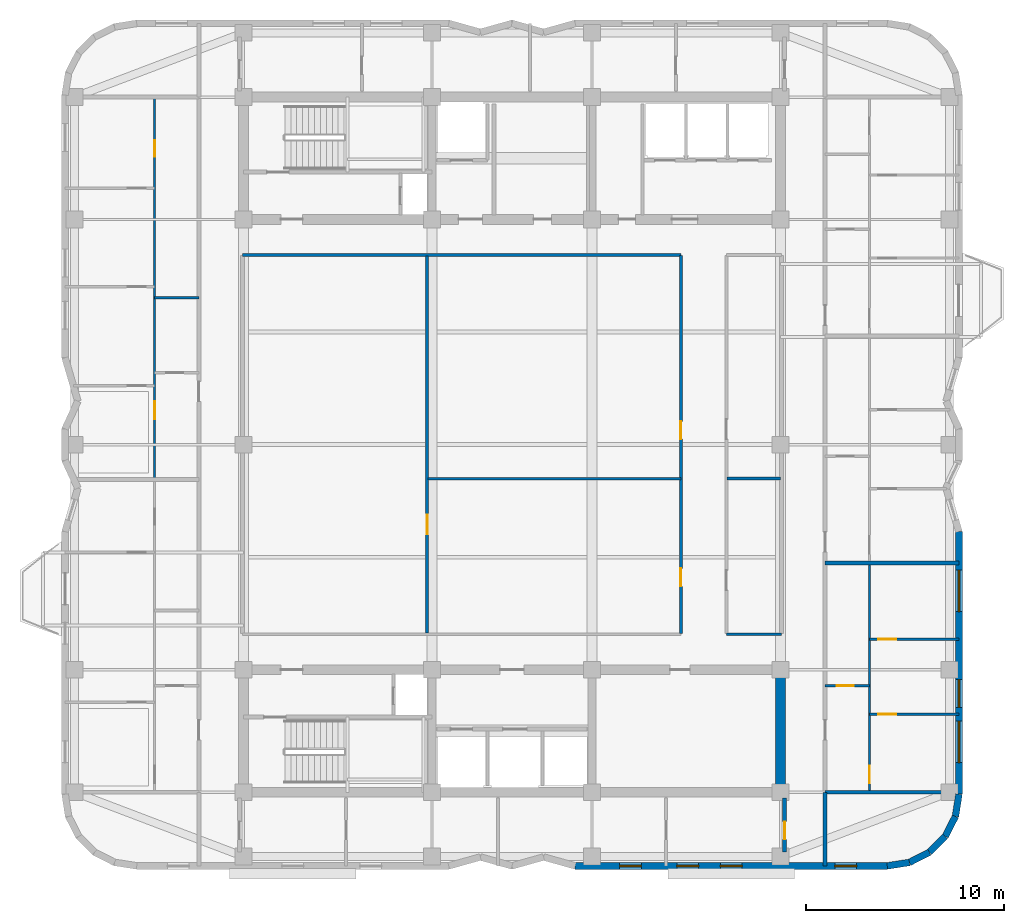
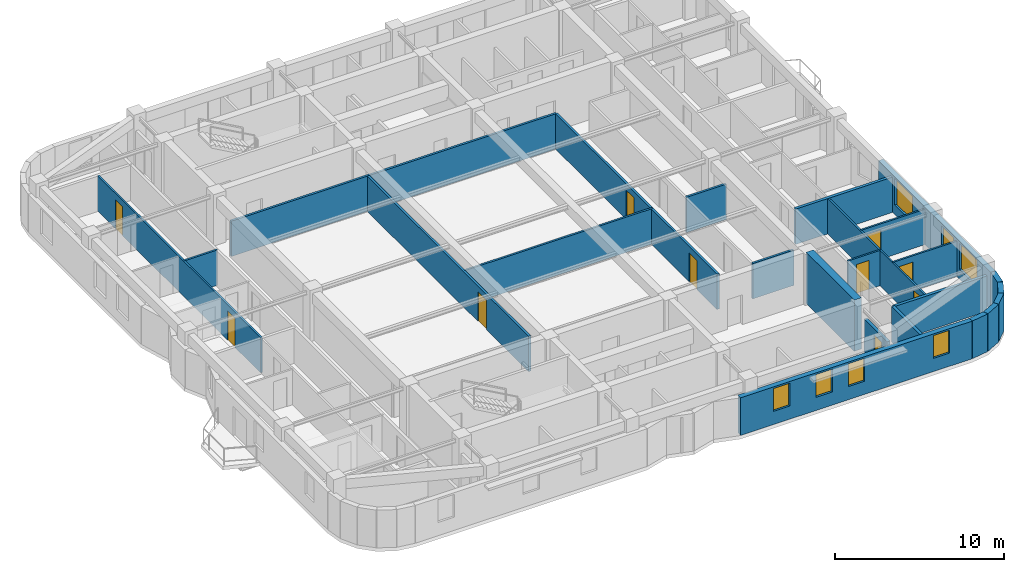
# One storey, part 4 of 9: 24 walls, 10 doors, 7 windows, 17 openings.
"""IFC4 building model written with IfcOpenShell, lengths in metres."""

from ifc_helpers import new_model, si_unit, direction, frame, frame_2d, origin, place, context, subcontext, project, spatial, rectangle, extrude, material, layer, layer_set, type_object, element, fill, save


model = new_model("IFC4")

# Units and contexts
model_context = context("Model", 3, precision=1e-05, world=origin(), true_north=direction((0.0, 1.0)))
body_context = subcontext(model_context, "Body", "Model", "MODEL_VIEW")
ifc_project = project(units=[si_unit("LENGTHUNIT", "METRE"), si_unit("AREAUNIT", "SQUARE_METRE"), si_unit("VOLUMEUNIT", "CUBIC_METRE"), si_unit("PLANEANGLEUNIT", "RADIAN"), si_unit("MASSUNIT", "GRAM", prefix="KILO")], contexts=[model_context])

# Site, building, storey
site_placement = place(None, origin())
site = spatial("IfcSite", under=ifc_project, at=site_placement, CompositionType="ELEMENT")
building_placement = place(site_placement, origin())
building = spatial("IfcBuilding", under=site, at=building_placement, Name="Svetorya Sky Lyceum", CompositionType="ELEMENT")
storey_placement = place(building_placement, frame((0.0, 0.0, 214.699951171875)))
storey = spatial("IfcBuildingStorey", under=building, at=storey_placement, Name="L53", CompositionType="ELEMENT", Elevation=214.699951171875)

# Wall
ifc_material_1 = material(Name="Concrete C50/60", Category="concrete")
ifc_layer_1 = layer(ifc_material_1, 0.5)
ifc_layer_set_1 = layer_set([ifc_layer_1], Name="Concrete C50/60")
wall_type_1 = type_object("IfcWallType", Name="WL-CORE-500", PredefinedType="SHEAR", material=ifc_layer_set_1)
wall_1_placement = place(storey_placement, frame((52.800048828125, 10.85009765625, 0.0), z_axis=(0.0, 0.0, 1.0), x_axis=(0.0, 1.0, 0.0)))
element("IfcWall", 1, at=wall_1_placement, inside=storey, type_object=wall_type_1, Name="L53 SC East Core Shear Wall", PredefinedType="SHEAR", context=body_context, shape_type="SweptSolid", body=[
    extrude(rectangle(XDim=5.699951171875, YDim=0.5, at=frame_2d((2.85009765625, 0.0))), origin(), (0.0, 0.0, 1.0), 3.699951171875),
])

# Wall, openings, windows
ifc_material_2 = material(Name="Putilovo limestone rainscreen on autoclaved cellular masonry", Category="masonry")
ifc_layer_2 = layer(ifc_material_2, 0.340087890625)
ifc_layer_set_2 = layer_set([ifc_layer_2], Name="Putilovo limestone rainscreen on autoclaved cellular masonry")
wall_type_2 = type_object("IfcWallType", Name="WL-EXT-340", PredefinedType="SOLIDWALL", material=ifc_layer_set_2)
wall_2_placement = place(storey_placement, frame((42.39990234375, 6.8701171875, 0.0), z_axis=(0.0, 0.0, 1.0), x_axis=(1.0, 0.0, 0.0)))
wall_2 = element("IfcWall", 2, at=wall_2_placement, inside=storey, type_object=wall_type_2, Name="L53 Limestone Exterior Wall 11M", PredefinedType="SOLIDWALL", context=body_context, shape_type="SweptSolid", body=[
    extrude(rectangle(XDim=15.800048828125, YDim=0.340087890625, at=frame_2d((7.89990234375, 0.0))), origin(), (0.0, 0.0, 1.0), 2.719970703125),
])
opening_1_placement = place(wall_2_placement, frame((2.25, 0.0, 0.949951171875)))
opening_1 = element("IfcOpeningElement", 3, at=opening_1_placement, cuts=wall_2, Name="Opening W-R3", PredefinedType="OPENING", context=body_context, shape_type="SweptSolid", body=[
    extrude(rectangle(XDim=1.10009765625, YDim=1.64990234375, at=frame_2d((0.550048828125, 0.824951171875))), frame((0.0, 0.179931640625, 0.0), z_axis=(0.0, -1.0, 0.0), x_axis=(1.0, 0.0, 0.0)), (0.0, 0.0, 1.0), 0.360107421875),
])
opening_2_placement = place(wall_2_placement, frame((5.14990234375, 0.0, 0.949951171875)))
opening_2 = element("IfcOpeningElement", 4, at=opening_2_placement, cuts=wall_2, Name="Opening W-R3", PredefinedType="OPENING", context=body_context, shape_type="SweptSolid", body=[
    extrude(rectangle(XDim=1.10009765625, YDim=1.64990234375, at=frame_2d((0.550048828125, 0.824951171875))), frame((0.0, 0.179931640625, 0.0), z_axis=(0.0, -1.0, 0.0), x_axis=(1.0, 0.0, 0.0)), (0.0, 0.0, 1.0), 0.360107421875),
])
opening_3_placement = place(wall_2_placement, frame((7.35009765625, 0.0, 0.949951171875)))
opening_3 = element("IfcOpeningElement", 5, at=opening_3_placement, cuts=wall_2, Name="Opening W-R3", PredefinedType="OPENING", context=body_context, shape_type="SweptSolid", body=[
    extrude(rectangle(XDim=1.10009765625, YDim=1.64990234375, at=frame_2d((0.550048828125, 0.824951171875))), frame((0.0, 0.179931640625, 0.0), z_axis=(0.0, -1.0, 0.0), x_axis=(1.0, 0.0, 0.0)), (0.0, 0.0, 1.0), 0.360107421875),
])
opening_4_placement = place(wall_2_placement, frame((13.14990234375, 0.0, 0.949951171875)))
opening_4 = element("IfcOpeningElement", 6, at=opening_4_placement, cuts=wall_2, Name="Opening W-R3", PredefinedType="OPENING", context=body_context, shape_type="SweptSolid", body=[
    extrude(rectangle(XDim=1.10009765625, YDim=1.64990234375, at=frame_2d((0.550048828125, 0.824951171875))), frame((0.0, 0.179931640625, 0.0), z_axis=(0.0, -1.0, 0.0), x_axis=(1.0, 0.0, 0.0)), (0.0, 0.0, 1.0), 0.360107421875),
])
ifc_material_3 = material(Name="Thermally broken aluminium frame with triple low-E glazing", Category="aluminium")
window_type_1 = type_object("IfcWindowType", Name="WN-RES-110", PartitioningType="SINGLE_PANEL", PredefinedType="WINDOW", material=ifc_material_3)
window_1_placement = place(opening_1_placement, origin())
window_1 = element("IfcWindow", 7, at=window_1_placement, inside=storey, type_object=window_type_1, Name="L53 Facade Window W-R3.11M.1", OverallHeight=1.64990234375, OverallWidth=1.10009765625, PartitioningType="SINGLE_PANEL", PredefinedType="WINDOW", context=body_context, shape_type="SweptSolid", body=[
    extrude(rectangle(XDim=1.10009765625, YDim=1.64990234375, at=frame_2d((0.550048828125, 0.824951171875))), frame((0.0, 0.030029296875, 0.0), z_axis=(0.0, -1.0, 0.0), x_axis=(1.0, 0.0, 0.0)), (0.0, 0.0, 1.0), 0.06005859375),
])
fill(opening_1, window_1)
window_2_placement = place(opening_2_placement, origin())
window_2 = element("IfcWindow", 8, at=window_2_placement, inside=storey, type_object=window_type_1, Name="L53 Facade Window W-R3.11M.2", OverallHeight=1.64990234375, OverallWidth=1.10009765625, PartitioningType="SINGLE_PANEL", PredefinedType="WINDOW", context=body_context, shape_type="SweptSolid", body=[
    extrude(rectangle(XDim=1.10009765625, YDim=1.64990234375, at=frame_2d((0.550048828125, 0.824951171875))), frame((0.0, 0.030029296875, 0.0), z_axis=(0.0, -1.0, 0.0), x_axis=(1.0, 0.0, 0.0)), (0.0, 0.0, 1.0), 0.06005859375),
])
fill(opening_2, window_2)
window_3_placement = place(opening_3_placement, origin())
window_3 = element("IfcWindow", 9, at=window_3_placement, inside=storey, type_object=window_type_1, Name="L53 Facade Window W-R3.11M.3", OverallHeight=1.64990234375, OverallWidth=1.10009765625, PartitioningType="SINGLE_PANEL", PredefinedType="WINDOW", context=body_context, shape_type="SweptSolid", body=[
    extrude(rectangle(XDim=1.10009765625, YDim=1.64990234375, at=frame_2d((0.550048828125, 0.824951171875))), frame((0.0, 0.030029296875, 0.0), z_axis=(0.0, -1.0, 0.0), x_axis=(1.0, 0.0, 0.0)), (0.0, 0.0, 1.0), 0.06005859375),
])
fill(opening_3, window_3)
window_4_placement = place(opening_4_placement, origin())
window_4 = element("IfcWindow", 10, at=window_4_placement, inside=storey, type_object=window_type_1, Name="L53 Facade Window W-R3.11M.4", OverallHeight=1.64990234375, OverallWidth=1.10009765625, PartitioningType="SINGLE_PANEL", PredefinedType="WINDOW", context=body_context, shape_type="SweptSolid", body=[
    extrude(rectangle(XDim=1.10009765625, YDim=1.64990234375, at=frame_2d((0.550048828125, 0.824951171875))), frame((0.0, 0.030029296875, 0.0), z_axis=(0.0, -1.0, 0.0), x_axis=(1.0, 0.0, 0.0)), (0.0, 0.0, 1.0), 0.06005859375),
])
fill(opening_4, window_4)

# Walls
for number, where, z_axis, x_axis, name in (
    (11, (58.199951171875, 6.8701171875, 0.0), (0.0, 0.0, 1.0), (0.987714116584, 0.156271634985, 0.0), "L53 Limestone Exterior Wall 12M"),
    (12, (59.32177734375, 7.047607421875, 0.0), (0.0, 0.0, 1.0), (0.891005044957, 0.453993402883, 0.0), "L53 Limestone Exterior Wall 13M"),
):
    element("IfcWall", number, at=place(storey_placement, frame(where, z_axis=z_axis, x_axis=x_axis)), inside=storey, type_object=wall_type_2, Name=name, PredefinedType="SOLIDWALL", context=body_context, shape_type="SweptSolid", body=[
        extrude(rectangle(XDim=1.1357421875, YDim=0.340087890625, at=frame_2d((0.56787109375, 0.0))), origin(), (0.0, 0.0, 1.0), 2.719970703125),
    ])
wall_3_placement = place(storey_placement, frame((60.333740234375, 7.563232421875, 0.0), z_axis=(0.0, 0.0, 1.0), x_axis=(0.707106781187, 0.707106781187, 0.0)))
element("IfcWall", 13, at=wall_3_placement, inside=storey, type_object=wall_type_2, Name="L53 Limestone Exterior Wall 14M", PredefinedType="SOLIDWALL", context=body_context, shape_type="SweptSolid", body=[
    extrude(rectangle(XDim=1.135498046875, YDim=0.340087890625, at=frame_2d((0.56787109375, 0.0))), origin(), (0.0, 0.0, 1.0), 2.719970703125),
])
wall_4_placement = place(storey_placement, frame((61.13671875, 8.3662109375, 0.0), z_axis=(0.0, 0.0, 1.0), x_axis=(0.45390646422, 0.891049337433, 0.0)))
element("IfcWall", 14, at=wall_4_placement, inside=storey, type_object=wall_type_2, Name="L53 Limestone Exterior Wall 15M", PredefinedType="SOLIDWALL", context=body_context, shape_type="SweptSolid", body=[
    extrude(rectangle(XDim=1.135986328125, YDim=0.340087890625, at=frame_2d((0.56787109375, 0.0))), origin(), (0.0, 0.0, 1.0), 2.719970703125),
])
wall_5_placement = place(storey_placement, frame((61.65234375, 9.37841796875, 0.0), z_axis=(0.0, 0.0, 1.0), x_axis=(0.156514556949, 0.987675651954, 0.0)))
element("IfcWall", 15, at=wall_5_placement, inside=storey, type_object=wall_type_2, Name="L53 Limestone Exterior Wall 16M", PredefinedType="SOLIDWALL", context=body_context, shape_type="SweptSolid", body=[
    extrude(rectangle(XDim=1.135498046875, YDim=0.340087890625, at=frame_2d((0.56787109375, 0.0))), origin(), (0.0, 0.0, 1.0), 2.719970703125),
])

# Wall, openings, windows
wall_6_placement = place(storey_placement, frame((61.830078125, 10.5, 0.0), z_axis=(0.0, 0.0, 1.0), x_axis=(0.0, 1.0, 0.0)))
wall_6 = element("IfcWall", 16, at=wall_6_placement, inside=storey, type_object=wall_type_2, Name="L53 Limestone Exterior Wall 17M", PredefinedType="SOLIDWALL", context=body_context, shape_type="SweptSolid", body=[
    extrude(rectangle(XDim=13.300048828125, YDim=0.340087890625, at=frame_2d((6.64990234375, 0.0))), origin(), (0.0, 0.0, 1.0), 2.719970703125),
])
opening_5_placement = place(wall_6_placement, frame((1.60009765625, 0.0, 0.699951171875)))
opening_5 = element("IfcOpeningElement", 17, at=opening_5_placement, cuts=wall_6, Name="Opening W-R0", PredefinedType="OPENING", context=body_context, shape_type="SweptSolid", body=[
    extrude(rectangle(XDim=2.10009765625, YDim=1.89990234375, at=frame_2d((1.050048828125, 0.949951171875))), frame((0.0, 0.179931640625, 0.0), z_axis=(0.0, -1.0, 0.0), x_axis=(1.0, 0.0, 0.0)), (0.0, 0.0, 1.0), 0.360107421875),
])
opening_6_placement = place(wall_6_placement, frame((4.39990234375, 0.0, 0.7099609375)))
opening_6 = element("IfcOpeningElement", 18, at=opening_6_placement, cuts=wall_6, Name="Opening W-R2", PredefinedType="OPENING", context=body_context, shape_type="SweptSolid", body=[
    extrude(rectangle(XDim=1.39990234375, YDim=1.85009765625, at=frame_2d((0.699951171875, 0.925048828125))), frame((0.0, 0.179931640625, 0.0), z_axis=(0.0, -1.0, 0.0), x_axis=(1.0, 0.0, 0.0)), (0.0, 0.0, 1.0), 0.360107421875),
])
opening_7_placement = place(wall_6_placement, frame((9.25, 0.0, 0.699951171875)))
opening_7 = element("IfcOpeningElement", 19, at=opening_7_placement, cuts=wall_6, Name="Opening W-R0", PredefinedType="OPENING", context=body_context, shape_type="SweptSolid", body=[
    extrude(rectangle(XDim=2.10009765625, YDim=1.89990234375, at=frame_2d((1.050048828125, 0.949951171875))), frame((0.0, 0.179931640625, 0.0), z_axis=(0.0, -1.0, 0.0), x_axis=(1.0, 0.0, 0.0)), (0.0, 0.0, 1.0), 0.360107421875),
])
window_type_2 = type_object("IfcWindowType", Name="WN-RES-140", PartitioningType="SINGLE_PANEL", PredefinedType="WINDOW", material=ifc_material_3)
window_5_placement = place(opening_6_placement, origin())
window_5 = element("IfcWindow", 20, at=window_5_placement, inside=storey, type_object=window_type_2, Name="L53 Facade Window W-R2.17M.3", OverallHeight=1.85009765625, OverallWidth=1.39990234375, PartitioningType="SINGLE_PANEL", PredefinedType="WINDOW", context=body_context, shape_type="SweptSolid", body=[
    extrude(rectangle(XDim=1.39990234375, YDim=1.85009765625, at=frame_2d((0.699951171875, 0.925048828125))), frame((0.0, 0.030029296875, 0.0), z_axis=(0.0, -1.0, 0.0), x_axis=(1.0, 0.0, 0.0)), (0.0, 0.0, 1.0), 0.06005859375),
])
fill(opening_6, window_5)
window_type_3 = type_object("IfcWindowType", Name="WN-RES-210", PartitioningType="TRIPLE_PANEL_VERTICAL", PredefinedType="WINDOW", material=ifc_material_3)
window_6_placement = place(opening_5_placement, origin())
window_6 = element("IfcWindow", 21, at=window_6_placement, inside=storey, type_object=window_type_3, Name="L53 Facade Window W-R0.17M.1", OverallHeight=1.89990234375, OverallWidth=2.10009765625, PartitioningType="SINGLE_PANEL", PredefinedType="WINDOW", context=body_context, shape_type="SweptSolid", body=[
    extrude(rectangle(XDim=2.10009765625, YDim=1.89990234375, at=frame_2d((1.050048828125, 0.949951171875))), frame((0.0, 0.030029296875, 0.0), z_axis=(0.0, -1.0, 0.0), x_axis=(1.0, 0.0, 0.0)), (0.0, 0.0, 1.0), 0.06005859375),
])
fill(opening_5, window_6)
window_7_placement = place(opening_7_placement, origin())
window_7 = element("IfcWindow", 22, at=window_7_placement, inside=storey, type_object=window_type_3, Name="L53 Facade Window W-R0.17M.2", OverallHeight=1.89990234375, OverallWidth=2.10009765625, PartitioningType="SINGLE_PANEL", PredefinedType="WINDOW", context=body_context, shape_type="SweptSolid", body=[
    extrude(rectangle(XDim=2.10009765625, YDim=1.89990234375, at=frame_2d((1.050048828125, 0.949951171875))), frame((0.0, 0.030029296875, 0.0), z_axis=(0.0, -1.0, 0.0), x_axis=(1.0, 0.0, 0.0)), (0.0, 0.0, 1.0), 0.06005859375),
])
fill(opening_7, window_7)

# Wall, openings, doors
ifc_material_4 = material(Name="Twin-stud galvanized framing with double fireboard", Category="gypsum")
ifc_layer_3 = layer(ifc_material_4, 0.1201171875)
ifc_layer_set_3 = layer_set([ifc_layer_3], Name="Twin-stud galvanized framing with double fireboard")
wall_type_3 = type_object("IfcWallType", Name="WL-PART-120", PredefinedType="PARTITIONING", material=ifc_layer_set_3)
wall_7_placement = place(storey_placement, frame((21.10009765625, 26.47998046875, 0.0), z_axis=(0.0, 0.0, 1.0), x_axis=(0.0, 1.0, 0.0)))
wall_7 = element("IfcWall", 23, at=wall_7_placement, inside=storey, type_object=wall_type_3, Name="L53 Interior Partition W2-WV", PredefinedType="PARTITIONING", context=body_context, shape_type="SweptSolid", body=[
    extrude(rectangle(XDim=19.280029296875, YDim=0.1201171875, at=frame_2d((9.64013671875, 0.0))), origin(), (0.0, 0.0, 1.0), 2.550048828125),
])
opening_8_placement = place(wall_7_placement, frame((3.010009765625, 0.0, 0.0)))
opening_8 = element("IfcOpeningElement", 24, at=opening_8_placement, cuts=wall_7, Name="Opening D-RM1", PredefinedType="OPENING", context=body_context, shape_type="SweptSolid", body=[
    extrude(rectangle(XDim=0.89990234375, YDim=2.10009765625, at=frame_2d((0.449951171875, 1.050048828125))), frame((0.0, 0.070068359375, 0.0), z_axis=(0.0, -1.0, 0.0), x_axis=(1.0, 0.0, 0.0)), (0.0, 0.0, 1.0), 0.14013671875),
])
opening_9_placement = place(wall_7_placement, frame((16.30810546875, 0.0, 0.0)))
opening_9 = element("IfcOpeningElement", 25, at=opening_9_placement, cuts=wall_7, Name="Opening D-BT2", PredefinedType="OPENING", context=body_context, shape_type="SweptSolid", body=[
    extrude(rectangle(XDim=0.820068359375, YDim=2.080078125, at=frame_2d((0.41015625, 1.0400390625))), frame((0.0, 0.070068359375, 0.0), z_axis=(0.0, -1.0, 0.0), x_axis=(1.0, 0.0, 0.0)), (0.0, 0.0, 1.0), 0.14013671875),
])
ifc_material_5 = material(Name="Lacquered birch veneer internal door")
door_type_1 = type_object("IfcDoorType", Name="DR-INT-900", OperationType="SINGLE_SWING_LEFT", PredefinedType="DOOR", material=ifc_material_5)
door_1_placement = place(opening_8_placement, origin())
door_1 = element("IfcDoor", 26, at=door_1_placement, inside=storey, type_object=door_type_1, Name="Apartment W2 Living Door", OperationType="SINGLE_SWING_LEFT", OverallHeight=2.10009765625, OverallWidth=0.89990234375, PredefinedType="DOOR", context=body_context, shape_type="SweptSolid", body=[
    extrude(rectangle(XDim=0.89990234375, YDim=2.10009765625, at=frame_2d((0.449951171875, 1.050048828125))), frame((0.0, 0.02490234375, 0.0), z_axis=(0.0, -1.0, 0.0), x_axis=(1.0, 0.0, 0.0)), (0.0, 0.0, 1.0), 0.050048828125),
])
fill(opening_8, door_1)
ifc_material_6 = material(Name="Compact moisture-resistant laminate closet door")
door_type_2 = type_object("IfcDoorType", Name="DR-WET-820", OperationType="SINGLE_SWING_LEFT", PredefinedType="DOOR", material=ifc_material_6)
door_2_placement = place(opening_9_placement, origin())
door_2 = element("IfcDoor", 27, at=door_2_placement, inside=storey, type_object=door_type_2, Name="Apartment W2 Study Door", OperationType="SINGLE_SWING_RIGHT", OverallHeight=2.080078125, OverallWidth=0.820068359375, PredefinedType="DOOR", context=body_context, shape_type="SweptSolid", body=[
    extrude(rectangle(XDim=0.820068359375, YDim=2.080078125, at=frame_2d((0.41015625, 1.0400390625))), frame((0.0, 0.02490234375, 0.0), z_axis=(0.0, -1.0, 0.0), x_axis=(1.0, 0.0, 0.0)), (0.0, 0.0, 1.0), 0.050048828125),
])
fill(opening_9, door_2)

# Wall, opening, door
wall_8_placement = place(storey_placement, frame((55.050048828125, 16.0, 0.0), z_axis=(0.0, 0.0, 1.0), x_axis=(1.0, 0.0, 0.0)))
wall_8 = element("IfcWall", 28, at=wall_8_placement, inside=storey, type_object=wall_type_3, Name="L53 Interior Partition E1-WH1", PredefinedType="PARTITIONING", context=body_context, shape_type="SweptSolid", body=[
    extrude(rectangle(XDim=2.25, YDim=0.1201171875, at=frame_2d((1.125, 0.0))), origin(), (0.0, 0.0, 1.0), 2.550048828125),
])
opening_10_placement = place(wall_8_placement, frame((0.60009765625, 0.0, 0.0)))
opening_10 = element("IfcOpeningElement", 29, at=opening_10_placement, cuts=wall_8, Name="Opening D-BT1", PredefinedType="OPENING", context=body_context, shape_type="SweptSolid", body=[
    extrude(rectangle(XDim=0.85009765625, YDim=2.10009765625, at=frame_2d((0.425048828125, 1.050048828125))), frame((0.0, 0.070068359375, 0.0), z_axis=(0.0, -1.0, 0.0), x_axis=(1.0, 0.0, 0.0)), (0.0, 0.0, 1.0), 0.14013671875),
])
ifc_material_7 = material(Name="Moisture-resistant laminate bathroom door")
door_type_3 = type_object("IfcDoorType", Name="DR-WET-850", OperationType="SINGLE_SWING_LEFT", PredefinedType="DOOR", material=ifc_material_7)
door_3_placement = place(opening_10_placement, origin())
door_3 = element("IfcDoor", 30, at=door_3_placement, inside=storey, type_object=door_type_3, Name="Apartment E1 Bathroom Door", OperationType="SINGLE_SWING_RIGHT", OverallHeight=2.10009765625, OverallWidth=0.85009765625, PredefinedType="DOOR", context=body_context, shape_type="SweptSolid", body=[
    extrude(rectangle(XDim=0.85009765625, YDim=2.10009765625, at=frame_2d((0.425048828125, 1.050048828125))), frame((0.0, 0.02490234375, 0.0), z_axis=(0.0, -1.0, 0.0), x_axis=(1.0, 0.0, 0.0)), (0.0, 0.0, 1.0), 0.050048828125),
])
fill(opening_10, door_3)

wall_9_placement = place(storey_placement, frame((57.300048828125, 14.550048828125, 0.0), z_axis=(0.0, 0.0, 1.0), x_axis=(1.0, 0.0, 0.0)))
wall_9 = element("IfcWall", 31, at=wall_9_placement, inside=storey, type_object=wall_type_3, Name="L53 Interior Partition E1-WL1", PredefinedType="PARTITIONING", context=body_context, shape_type="SweptSolid", body=[
    extrude(rectangle(XDim=4.530029296875, YDim=0.1201171875, at=frame_2d((2.26513671875, 0.0))), origin(), (0.0, 0.0, 1.0), 2.550048828125),
])
opening_11_placement = place(wall_9_placement, frame((0.449951171875, 0.0, 0.0)))
opening_11 = element("IfcOpeningElement", 32, at=opening_11_placement, cuts=wall_9, Name="Opening D-RM1", PredefinedType="OPENING", context=body_context, shape_type="SweptSolid", body=[
    extrude(rectangle(XDim=0.89990234375, YDim=2.10009765625, at=frame_2d((0.449951171875, 1.050048828125))), frame((0.0, 0.070068359375, 0.0), z_axis=(0.0, -1.0, 0.0), x_axis=(1.0, 0.0, 0.0)), (0.0, 0.0, 1.0), 0.14013671875),
])
door_4_placement = place(opening_11_placement, origin())
door_4 = element("IfcDoor", 33, at=door_4_placement, inside=storey, type_object=door_type_1, Name="Apartment E1 Master Bedroom Door", OperationType="SINGLE_SWING_RIGHT", OverallHeight=2.10009765625, OverallWidth=0.89990234375, PredefinedType="DOOR", context=body_context, shape_type="SweptSolid", body=[
    extrude(rectangle(XDim=0.89990234375, YDim=2.10009765625, at=frame_2d((0.449951171875, 1.050048828125))), frame((0.0, 0.02490234375, 0.0), z_axis=(0.0, -1.0, 0.0), x_axis=(1.0, 0.0, 0.0)), (0.0, 0.0, 1.0), 0.050048828125),
])
fill(opening_11, door_4)

wall_10_placement = place(storey_placement, frame((57.300048828125, 18.35009765625, 0.0), z_axis=(0.0, 0.0, 1.0), x_axis=(1.0, 0.0, 0.0)))
wall_10 = element("IfcWall", 34, at=wall_10_placement, inside=storey, type_object=wall_type_3, Name="L53 Interior Partition E1-WL2", PredefinedType="PARTITIONING", context=body_context, shape_type="SweptSolid", body=[
    extrude(rectangle(XDim=4.530029296875, YDim=0.1201171875, at=frame_2d((2.26513671875, 0.0))), origin(), (0.0, 0.0, 1.0), 2.550048828125),
])
opening_12_placement = place(wall_10_placement, frame((0.449951171875, 0.0, 0.0)))
opening_12 = element("IfcOpeningElement", 35, at=opening_12_placement, cuts=wall_10, Name="Opening D-RM1", PredefinedType="OPENING", context=body_context, shape_type="SweptSolid", body=[
    extrude(rectangle(XDim=0.89990234375, YDim=2.10009765625, at=frame_2d((0.449951171875, 1.050048828125))), frame((0.0, 0.070068359375, 0.0), z_axis=(0.0, -1.0, 0.0), x_axis=(1.0, 0.0, 0.0)), (0.0, 0.0, 1.0), 0.14013671875),
])
door_5_placement = place(opening_12_placement, origin())
door_5 = element("IfcDoor", 36, at=door_5_placement, inside=storey, type_object=door_type_1, Name="Apartment E1 Bedroom 2 Door", OperationType="SINGLE_SWING_LEFT", OverallHeight=2.10009765625, OverallWidth=0.89990234375, PredefinedType="DOOR", context=body_context, shape_type="SweptSolid", body=[
    extrude(rectangle(XDim=0.89990234375, YDim=2.10009765625, at=frame_2d((0.449951171875, 1.050048828125))), frame((0.0, 0.02490234375, 0.0), z_axis=(0.0, -1.0, 0.0), x_axis=(1.0, 0.0, 0.0)), (0.0, 0.0, 1.0), 0.050048828125),
])
fill(opening_12, door_5)

wall_11_placement = place(storey_placement, frame((57.300048828125, 10.639892578125, 0.0), z_axis=(0.0, 0.0, 1.0), x_axis=(0.0, 1.0, 0.0)))
wall_11 = element("IfcWall", 37, at=wall_11_placement, inside=storey, type_object=wall_type_3, Name="L53 Interior Partition E1-WV", PredefinedType="PARTITIONING", context=body_context, shape_type="SweptSolid", body=[
    extrude(rectangle(XDim=11.5361328125, YDim=0.1201171875, at=frame_2d((5.76806640625, 0.0))), origin(), (0.0, 0.0, 1.0), 2.550048828125),
])
opening_13_placement = place(wall_11_placement, frame((0.409912109375, 0.0, 0.0)))
opening_13 = element("IfcOpeningElement", 38, at=opening_13_placement, cuts=wall_11, Name="Opening D-RM1", PredefinedType="OPENING", context=body_context, shape_type="SweptSolid", body=[
    extrude(rectangle(XDim=0.89990234375, YDim=2.10009765625, at=frame_2d((0.449951171875, 1.050048828125))), frame((0.0, 0.070068359375, 0.0), z_axis=(0.0, -1.0, 0.0), x_axis=(1.0, 0.0, 0.0)), (0.0, 0.0, 1.0), 0.14013671875),
])
door_6_placement = place(opening_13_placement, origin())
door_6 = element("IfcDoor", 39, at=door_6_placement, inside=storey, type_object=door_type_1, Name="Apartment E1 Living Door", OperationType="SINGLE_SWING_LEFT", OverallHeight=2.10009765625, OverallWidth=0.89990234375, PredefinedType="DOOR", context=body_context, shape_type="SweptSolid", body=[
    extrude(rectangle(XDim=0.89990234375, YDim=2.10009765625, at=frame_2d((0.449951171875, 1.050048828125))), frame((0.0, 0.02490234375, 0.0), z_axis=(0.0, -1.0, 0.0), x_axis=(1.0, 0.0, 0.0)), (0.0, 0.0, 1.0), 0.050048828125),
])
fill(opening_13, door_6)

# Walls
ifc_material_8 = material(Name="Twin-stud galvanized framing with acoustic board", Category="gypsum")
ifc_layer_4 = layer(ifc_material_8, 0.135009765625)
ifc_layer_set_4 = layer_set([ifc_layer_4], Name="Twin-stud galvanized framing with acoustic board")
wall_type_4 = type_object("IfcWallType", Name="WL-PART-135", PredefinedType="PARTITIONING", material=ifc_layer_set_4)
wall_12_placement = place(storey_placement, frame((34.949951171875, 26.477294921875, 0.0), z_axis=(0.0, 0.0, 1.0), x_axis=(1.0, 0.0, 0.0)))
element("IfcWall", 40, at=wall_12_placement, inside=storey, type_object=wall_type_4, Name="L53 Interior Partition OFF-WHM", PredefinedType="PARTITIONING", context=body_context, shape_type="SweptSolid", body=[
    extrude(rectangle(XDim=12.81005859375, YDim=0.135009765625, at=frame_2d((6.405029296875, 0.0))), origin(), (0.0, 0.0, 1.0), 2.550048828125),
])
wall_13_placement = place(storey_placement, frame((21.10009765625, 35.639892578125, 0.0), z_axis=(0.0, 0.0, 1.0), x_axis=(1.0, 0.0, 0.0)))
element("IfcWall", 41, at=wall_13_placement, inside=storey, type_object=wall_type_4, Name="L53 Interior Partition W2-WH2", PredefinedType="PARTITIONING", context=body_context, shape_type="SweptSolid", body=[
    extrude(rectangle(XDim=2.25, YDim=0.135009765625, at=frame_2d((1.125, 0.0))), origin(), (0.0, 0.0, 1.0), 2.550048828125),
])
ifc_material_9 = material(Name="Autoclaved cellular masonry blockwork with acoustic render", Category="masonry")
ifc_layer_5 = layer(ifc_material_9, 0.14990234375)
ifc_layer_set_5 = layer_set([ifc_layer_5], Name="Autoclaved cellular masonry blockwork with acoustic render")
wall_type_5 = type_object("IfcWallType", Name="WL-PART-150", PredefinedType="PARTITIONING", material=ifc_layer_set_5)
wall_14_placement = place(storey_placement, frame((50.050048828125, 18.60009765625, 0.0), z_axis=(0.0, 0.0, 1.0), x_axis=(1.0, 0.0, 0.0)))
element("IfcWall", 42, at=wall_14_placement, inside=storey, type_object=wall_type_5, Name="L53 Interior Partition OFF-CS-E", PredefinedType="PARTITIONING", context=body_context, shape_type="SweptSolid", body=[
    extrude(rectangle(XDim=2.800048828125, YDim=0.14990234375, at=frame_2d((1.39990234375, 0.0))), origin(), (0.0, 0.0, 1.0), 2.550048828125),
])
wall_15_placement = place(storey_placement, frame((25.550048828125, 37.800048828125, 0.0), z_axis=(0.0, 0.0, 1.0), x_axis=(1.0, 0.0, 0.0)))
element("IfcWall", 43, at=wall_15_placement, inside=storey, type_object=wall_type_5, Name="L53 Interior Partition OFF-CN-W", PredefinedType="PARTITIONING", context=body_context, shape_type="SweptSolid", body=[
    extrude(rectangle(XDim=22.199951171875, YDim=0.14990234375, at=frame_2d((11.10009765625, 0.0))), origin(), (0.0, 0.0, 1.0), 2.550048828125),
])

# Wall, opening, door
wall_16_placement = place(storey_placement, frame((34.89990234375, 18.659912109375, 0.0), z_axis=(0.0, 0.0, 1.0), x_axis=(0.0, 1.0, 0.0)))
wall_16 = element("IfcWall", 44, at=wall_16_placement, inside=storey, type_object=wall_type_5, Name="L53 Interior Partition OFF-WVM", PredefinedType="PARTITIONING", context=body_context, shape_type="SweptSolid", body=[
    extrude(rectangle(XDim=19.080078125, YDim=0.14990234375, at=frame_2d((9.5400390625, 0.0))), origin(), (0.0, 0.0, 1.0), 2.550048828125),
])
opening_14_placement = place(wall_16_placement, frame((5.0, 0.0, 0.0)))
opening_14 = element("IfcOpeningElement", 45, at=opening_14_placement, cuts=wall_16, Name="Opening D-RM2", PredefinedType="OPENING", context=body_context, shape_type="SweptSolid", body=[
    extrude(rectangle(XDim=1.0, YDim=2.14990234375, at=frame_2d((0.5, 1.074951171875))), frame((0.0, 0.0849609375, 0.0), z_axis=(0.0, -1.0, 0.0), x_axis=(1.0, 0.0, 0.0)), (0.0, 0.0, 1.0), 0.169921875),
])
ifc_material_10 = material(Name="Solid-core oak acoustic room door")
door_type_4 = type_object("IfcDoorType", Name="DR-INT-1000", OperationType="SINGLE_SWING_LEFT", PredefinedType="DOOR", material=ifc_material_10)
door_7_placement = place(opening_14_placement, origin())
door_7 = element("IfcDoor", 46, at=door_7_placement, inside=storey, type_object=door_type_4, Name="L53 West Seminar Door", OperationType="SINGLE_SWING_LEFT", OverallHeight=2.14990234375, OverallWidth=1.0, PredefinedType="DOOR", context=body_context, shape_type="SweptSolid", body=[
    extrude(rectangle(XDim=1.0, YDim=2.14990234375, at=frame_2d((0.5, 1.074951171875))), frame((0.0, 0.02490234375, 0.0), z_axis=(0.0, -1.0, 0.0), x_axis=(1.0, 0.0, 0.0)), (0.0, 0.0, 1.0), 0.050048828125),
])
fill(opening_14, door_7)

# Wall
wall_17_placement = place(storey_placement, frame((50.080078125, 26.477294921875, 0.0), z_axis=(0.0, 0.0, 1.0), x_axis=(1.0, 0.0, 0.0)))
element("IfcWall", 47, at=wall_17_placement, inside=storey, type_object=wall_type_5, Name="L53 Interior Partition OFF-HE", PredefinedType="PARTITIONING", context=body_context, shape_type="SweptSolid", body=[
    extrude(rectangle(XDim=2.719970703125, YDim=0.14990234375, at=frame_2d((1.35986328125, 0.0))), origin(), (0.0, 0.0, 1.0), 2.550048828125),
])

# Wall, openings, doors
wall_18_placement = place(storey_placement, frame((47.75, 18.6298828125, 0.0), z_axis=(0.0, 0.0, 1.0), x_axis=(0.0, 1.0, 0.0)))
wall_18 = element("IfcWall", 48, at=wall_18_placement, inside=storey, type_object=wall_type_5, Name="L53 Interior Partition OFF-VW", PredefinedType="PARTITIONING", context=body_context, shape_type="SweptSolid", body=[
    extrude(rectangle(XDim=19.14013671875, YDim=0.14990234375, at=frame_2d((9.570068359375, 0.0))), origin(), (0.0, 0.0, 1.0), 2.550048828125),
])
opening_15_placement = place(wall_18_placement, frame((2.39990234375, 0.0, 0.0)))
opening_15 = element("IfcOpeningElement", 49, at=opening_15_placement, cuts=wall_18, Name="Opening D-RM1", PredefinedType="OPENING", context=body_context, shape_type="SweptSolid", body=[
    extrude(rectangle(XDim=0.89990234375, YDim=2.10009765625, at=frame_2d((0.449951171875, 1.050048828125))), frame((0.0, 0.0849609375, 0.0), z_axis=(0.0, -1.0, 0.0), x_axis=(1.0, 0.0, 0.0)), (0.0, 0.0, 1.0), 0.169921875),
])
opening_16_placement = place(wall_18_placement, frame((9.847412109375, 0.0, 0.0)))
opening_16 = element("IfcOpeningElement", 50, at=opening_16_placement, cuts=wall_18, Name="Opening D-RM1", PredefinedType="OPENING", context=body_context, shape_type="SweptSolid", body=[
    extrude(rectangle(XDim=0.89990234375, YDim=2.10009765625, at=frame_2d((0.449951171875, 1.050048828125))), frame((0.0, 0.0849609375, 0.0), z_axis=(0.0, -1.0, 0.0), x_axis=(1.0, 0.0, 0.0)), (0.0, 0.0, 1.0), 0.169921875),
])
door_8_placement = place(opening_15_placement, origin())
door_8 = element("IfcDoor", 51, at=door_8_placement, inside=storey, type_object=door_type_1, Name="L53 Study Door", OperationType="SINGLE_SWING_LEFT", OverallHeight=2.10009765625, OverallWidth=0.89990234375, PredefinedType="DOOR", context=body_context, shape_type="SweptSolid", body=[
    extrude(rectangle(XDim=0.89990234375, YDim=2.10009765625, at=frame_2d((0.449951171875, 1.050048828125))), frame((0.0, 0.02490234375, 0.0), z_axis=(0.0, -1.0, 0.0), x_axis=(1.0, 0.0, 0.0)), (0.0, 0.0, 1.0), 0.050048828125),
])
fill(opening_15, door_8)
door_9_placement = place(opening_16_placement, origin())
door_9 = element("IfcDoor", 52, at=door_9_placement, inside=storey, type_object=door_type_1, Name="L53 Office Door", OperationType="SINGLE_SWING_RIGHT", OverallHeight=2.10009765625, OverallWidth=0.89990234375, PredefinedType="DOOR", context=body_context, shape_type="SweptSolid", body=[
    extrude(rectangle(XDim=0.89990234375, YDim=2.10009765625, at=frame_2d((0.449951171875, 1.050048828125))), frame((0.0, 0.02490234375, 0.0), z_axis=(0.0, -1.0, 0.0), x_axis=(1.0, 0.0, 0.0)), (0.0, 0.0, 1.0), 0.050048828125),
])
fill(opening_16, door_9)

# Walls
ifc_material_11 = material(Name="Autoclaved cellular masonry blockwork with gypsum plaster", Category="masonry")
ifc_layer_6 = layer(ifc_material_11, 0.199951171875)
ifc_layer_set_6 = layer_set([ifc_layer_6], Name="Autoclaved cellular masonry blockwork with gypsum plaster")
wall_type_6 = type_object("IfcWallType", Name="WL-PART-200", PredefinedType="PARTITIONING", material=ifc_layer_set_6)
wall_19_placement = place(storey_placement, frame((55.050048828125, 22.216064453125, 0.0), z_axis=(0.0, 0.0, 1.0), x_axis=(1.0, 0.0, 0.0)))
element("IfcWall", 53, at=wall_19_placement, inside=storey, type_object=wall_type_6, Name="L53 Interior Partition E-PARTY-1", PredefinedType="PARTITIONING", context=body_context, shape_type="SweptSolid", body=[
    extrude(rectangle(XDim=6.780029296875, YDim=0.199951171875, at=frame_2d((3.39013671875, 0.0))), origin(), (0.0, 0.0, 1.0), 2.550048828125),
])
wall_20_placement = place(storey_placement, frame((55.050048828125, 10.60009765625, 0.0), z_axis=(0.0, 0.0, 1.0), x_axis=(1.0, 0.0, 0.0)))
element("IfcWall", 54, at=wall_20_placement, inside=storey, type_object=wall_type_6, Name="L53 Interior Partition E-CAP-S", PredefinedType="PARTITIONING", context=body_context, shape_type="SweptSolid", body=[
    extrude(rectangle(XDim=6.35986328125, YDim=0.199951171875, at=frame_2d((3.179931640625, 0.0))), origin(), (0.0, 0.0, 1.0), 2.550048828125),
])
wall_21_placement = place(storey_placement, frame((55.050048828125, 6.8701171875, 0.0), z_axis=(0.0, 0.0, 1.0), x_axis=(0.0, 1.0, 0.0)))
element("IfcWall", 55, at=wall_21_placement, inside=storey, type_object=wall_type_6, Name="L53 Interior Partition EC-SE-END", PredefinedType="PARTITIONING", context=body_context, shape_type="SweptSolid", body=[
    extrude(rectangle(XDim=3.72998046875, YDim=0.199951171875, at=frame_2d((1.864990234375, 0.0))), origin(), (0.0, 0.0, 1.0), 2.550048828125),
])

# Wall, opening, door
wall_22_placement = place(storey_placement, frame((53.0, 7.570068359375, 0.0), z_axis=(0.0, 0.0, 1.0), x_axis=(0.0, 1.0, 0.0)))
wall_22 = element("IfcWall", 56, at=wall_22_placement, inside=storey, type_object=wall_type_6, Name="L53 Interior Partition S4-EE", PredefinedType="PARTITIONING", context=body_context, shape_type="SweptSolid", body=[
    extrude(rectangle(XDim=2.72998046875, YDim=0.199951171875, at=frame_2d((1.364990234375, 0.0))), origin(), (0.0, 0.0, 1.0), 2.550048828125),
])
opening_17_placement = place(wall_22_placement, frame((0.64990234375, 0.0, 0.0)))
opening_17 = element("IfcOpeningElement", 57, at=opening_17_placement, cuts=wall_22, Name="Opening D-RM1", PredefinedType="OPENING", context=body_context, shape_type="SweptSolid", body=[
    extrude(rectangle(XDim=0.89990234375, YDim=2.10009765625, at=frame_2d((0.449951171875, 1.050048828125))), frame((0.0, 0.10986328125, 0.0), z_axis=(0.0, -1.0, 0.0), x_axis=(1.0, 0.0, 0.0)), (0.0, 0.0, 1.0), 0.219970703125),
])
door_10_placement = place(opening_17_placement, origin())
door_10 = element("IfcDoor", 58, at=door_10_placement, inside=storey, type_object=door_type_1, Name="L53 SE Meeting Door", OperationType="SINGLE_SWING_RIGHT", OverallHeight=2.10009765625, OverallWidth=0.89990234375, PredefinedType="DOOR", context=body_context, shape_type="SweptSolid", body=[
    extrude(rectangle(XDim=0.89990234375, YDim=2.10009765625, at=frame_2d((0.449951171875, 1.050048828125))), frame((0.0, 0.02490234375, 0.0), z_axis=(0.0, -1.0, 0.0), x_axis=(1.0, 0.0, 0.0)), (0.0, 0.0, 1.0), 0.050048828125),
])
fill(opening_17, door_10)

save(model, "model.ifc")
